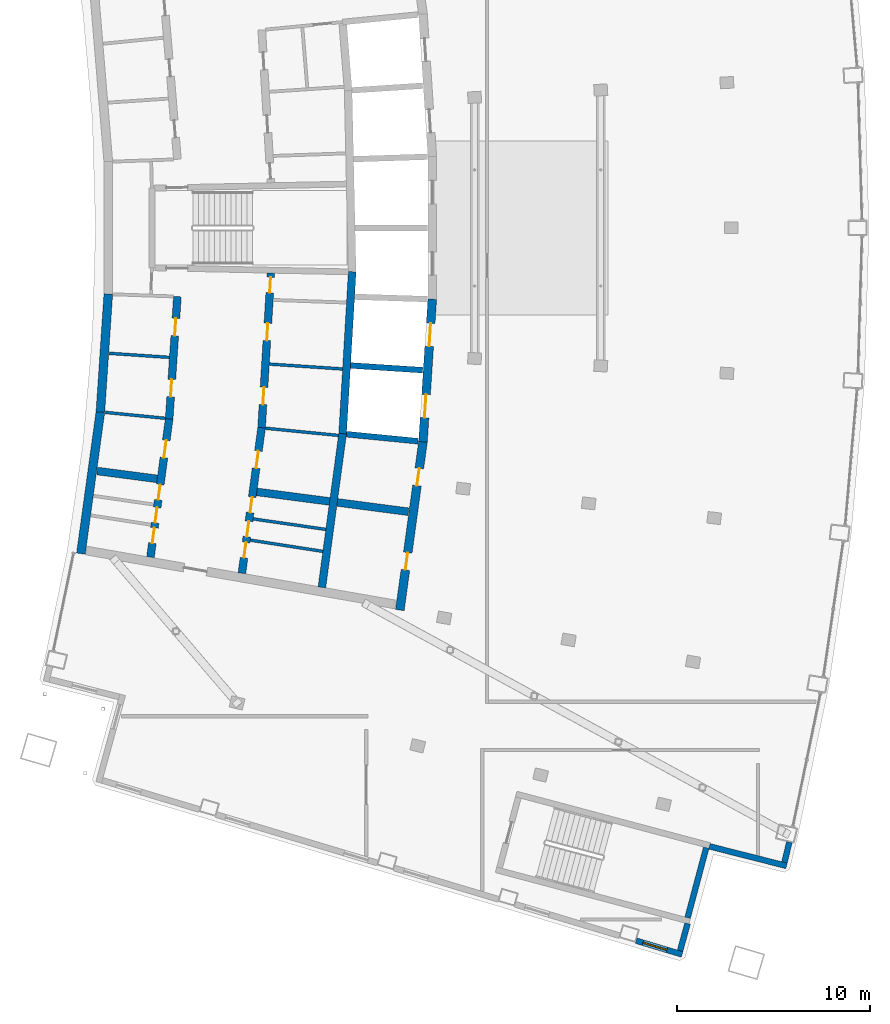
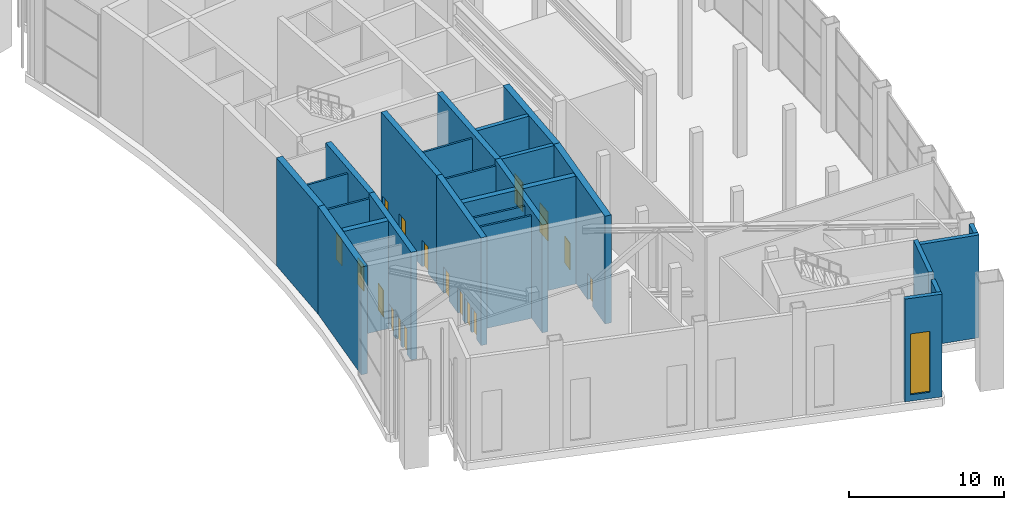
# One storey, part 18 of 25: 26 walls, 17 doors, 1 window, 18 openings.
"""IFC4 building model written with IfcOpenShell, lengths in metres."""

from ifc_helpers import new_model, si_unit, direction, frame, frame_2d, origin, place, context, subcontext, project, spatial, rectangle, extrude, material, layer, layer_set, type_object, element, fill, save


model = new_model("IFC4")

# Units and contexts
model_context = context("Model", 3, precision=1e-05, world=origin(), true_north=direction((0.0, 1.0)))
body_context = subcontext(model_context, "Body", "Model", "MODEL_VIEW")
ifc_project = project(units=[si_unit("LENGTHUNIT", "METRE"), si_unit("AREAUNIT", "SQUARE_METRE"), si_unit("VOLUMEUNIT", "CUBIC_METRE"), si_unit("PLANEANGLEUNIT", "RADIAN"), si_unit("MASSUNIT", "GRAM", prefix="KILO")], contexts=[model_context])

# Site, building, storey
site_placement = place(None, origin())
site = spatial("IfcSite", under=ifc_project, at=site_placement, CompositionType="ELEMENT")
building_placement = place(site_placement, origin())
building = spatial("IfcBuilding", under=site, at=building_placement, Name="Alderwake Tower", CompositionType="ELEMENT")
storey_placement = place(building_placement, frame((0.0, 0.0, 296.0)))
storey = spatial("IfcBuildingStorey", under=building, at=storey_placement, Name="L73", CompositionType="ELEMENT", Elevation=296.0)

# Walls
ifc_material_1 = material(Name="Gypsum shaft wall system, rated")
ifc_layer_1 = layer(ifc_material_1, 0.14990234375)
ifc_layer_set_1 = layer_set([ifc_layer_1], Name="Core room partition 150")
wall_type_1 = type_object("IfcWallType", Name="Core room partition 150", PredefinedType="PARTITIONING", material=ifc_layer_set_1)
wall_1_placement = place(storey_placement, frame((24.006103515625, 44.859375, 0.0), z_axis=(0.0, 0.0, 1.0), x_axis=(0.98816936707, -0.153366560842, 0.0)))
element("IfcWall", 1, at=wall_1_placement, inside=storey, type_object=wall_type_1, Name="CW/L73/PR-161_+86", PredefinedType="PARTITIONING", context=body_context, shape_type="SweptSolid", body=[
    extrude(rectangle(XDim=3.796630859375, YDim=0.14990234375, at=frame_2d((1.8984375, 0.0))), origin(), (0.0, 0.0, 1.0), 8.10009765625),
])
wall_2_placement = place(storey_placement, frame((24.15478515625, 45.956298828125, 0.0), z_axis=(0.0, 0.0, 1.0), x_axis=(0.989733513529, -0.142925057975, 0.0)))
element("IfcWall", 2, at=wall_2_placement, inside=storey, type_object=wall_type_1, Name="CW/L73/PR-150_+86", PredefinedType="PARTITIONING", context=body_context, shape_type="SweptSolid", body=[
    extrude(rectangle(XDim=3.795654296875, YDim=0.14990234375, at=frame_2d((1.89794921875, 0.0))), origin(), (0.0, 0.0, 1.0), 8.10009765625),
])
wall_3_placement = place(storey_placement, frame((16.510009765625, 51.463134765625, 0.0), z_axis=(0.0, 0.0, 1.0), x_axis=(0.995158089271, -0.098287218693, 0.0)))
element("IfcWall", 3, at=wall_3_placement, inside=storey, type_object=wall_type_1, Name="CW/L73/PR-103_+0", PredefinedType="PARTITIONING", context=body_context, shape_type="SweptSolid", body=[
    extrude(rectangle(XDim=3.119873046875, YDim=0.14990234375, at=frame_2d((1.56005859375, 0.0))), origin(), (0.0, 0.0, 1.0), 8.10009765625),
])
wall_4_placement = place(storey_placement, frame((24.789794921875, 50.64501953125, 0.0), z_axis=(0.0, 0.0, 1.0), x_axis=(0.995153039802, -0.098338331148, 0.0)))
element("IfcWall", 4, at=wall_4_placement, inside=storey, type_object=wall_type_1, Name="CW/L73/PR-103_+86", PredefinedType="PARTITIONING", context=body_context, shape_type="SweptSolid", body=[
    extrude(rectangle(XDim=3.7958984375, YDim=0.14990234375, at=frame_2d((1.89794921875, 0.0))), origin(), (0.0, 0.0, 1.0), 8.10009765625),
])
wall_5_placement = place(storey_placement, frame((16.714599609375, 54.51611328125, 0.0), z_axis=(0.0, 0.0, 1.0), x_axis=(0.997762234673, -0.066861970214, 0.0)))
element("IfcWall", 5, at=wall_5_placement, inside=storey, type_object=wall_type_1, Name="CW/L73/PR-70_+0", PredefinedType="PARTITIONING", context=body_context, shape_type="SweptSolid", body=[
    extrude(rectangle(XDim=3.118408203125, YDim=0.14990234375, at=frame_2d((1.55908203125, 0.0))), origin(), (0.0, 0.0, 1.0), 8.10009765625),
])
wall_6_placement = place(storey_placement, frame((24.990234375, 53.96142578125, 0.0), z_axis=(0.0, 0.0, 1.0), x_axis=(0.997761767472, -0.066868941756, 0.0)))
element("IfcWall", 6, at=wall_6_placement, inside=storey, type_object=wall_type_1, Name="CW/L73/PR-70_+86", PredefinedType="PARTITIONING", context=body_context, shape_type="SweptSolid", body=[
    extrude(rectangle(XDim=3.797119140625, YDim=0.14990234375, at=frame_2d((1.8984375, 0.0))), origin(), (0.0, 0.0, 1.0), 8.10009765625),
])
ifc_material_2 = material(Name="Concrete C70/85", Category="concrete")
ifc_layer_2 = layer(ifc_material_2, 0.449951171875)
ifc_layer_set_2 = layer_set([ifc_layer_2], Name="Core wall outer 450 C70-85")
wall_type_2 = type_object("IfcWallType", Name="Core wall outer 450 C70-85", PredefinedType="SHEAR", material=ifc_layer_set_2)
wall_7_placement = place(storey_placement, frame((15.247802734375, 44.159423828125, 0.0), z_axis=(0.0, 0.0, 1.0), x_axis=(0.136306095634, 0.990666769551, 0.0)))
element("IfcWall", 7, at=wall_7_placement, inside=storey, type_object=wall_type_2, Name="Core wall CW.028", PredefinedType="SHEAR", context=body_context, shape_type="SweptSolid", body=[
    extrude(rectangle(XDim=7.40625, YDim=0.449951171875, at=frame_2d((3.703125, 0.0))), origin(), (0.0, 0.0, 1.0), 8.5),
])
wall_8_placement = place(storey_placement, frame((16.255615234375, 51.47998046875, 0.0), z_axis=(0.0, 0.0, 1.0), x_axis=(0.066897619552, 0.997759845102, 0.0)))
element("IfcWall", 8, at=wall_8_placement, inside=storey, type_object=wall_type_2, Name="Core wall CW.027", PredefinedType="SHEAR", context=body_context, shape_type="SweptSolid", body=[
    extrude(rectangle(XDim=6.1201171875, YDim=0.449951171875, at=frame_2d((3.06005859375, 0.0))), origin(), (0.0, 0.0, 1.0), 8.5),
])

# Wall, openings, doors
wall_9_placement = place(storey_placement, frame((32.936767578125, 49.95751953125, 0.0), z_axis=(0.0, 0.0, 1.0), x_axis=(-0.135866240661, -0.99072718982, 0.0)))
wall_9 = element("IfcWall", 9, at=wall_9_placement, inside=storey, type_object=wall_type_2, Name="Core wall CW.022", PredefinedType="SHEAR", context=body_context, shape_type="SweptSolid", body=[
    extrude(rectangle(XDim=8.7958984375, YDim=0.449951171875, at=frame_2d((4.39794921875, 0.0))), origin(), (0.0, 0.0, 1.0), 8.5),
])
opening_1_placement = place(wall_9_placement, frame((1.40234375, 0.0, 0.0)))
opening_1 = element("IfcOpeningElement", 10, at=opening_1_placement, cuts=wall_9, Name="Opening C050", PredefinedType="OPENING", context=body_context, shape_type="SweptSolid", body=[
    extrude(rectangle(XDim=0.89990234375, YDim=2.10009765625, at=frame_2d((0.449951171875, 1.050048828125))), frame((0.0, 0.23486328125, 0.0), z_axis=(0.0, -1.0, 0.0), x_axis=(1.0, 0.0, 0.0)), (0.0, 0.0, 1.0), 0.469970703125),
])
opening_2_placement = place(wall_9_placement, frame((5.796875, 0.0, 0.0)))
opening_2 = element("IfcOpeningElement", 11, at=opening_2_placement, cuts=wall_9, Name="Opening C061", PredefinedType="OPENING", context=body_context, shape_type="SweptSolid", body=[
    extrude(rectangle(XDim=0.89990234375, YDim=2.10009765625, at=frame_2d((0.449951171875, 1.050048828125))), frame((0.0, 0.23486328125, 0.0), z_axis=(0.0, -1.0, 0.0), x_axis=(1.0, 0.0, 0.0)), (0.0, 0.0, 1.0), 0.469970703125),
])
ifc_material_3 = material(Name="Painted steel leaf", Category="steel")
door_type_1 = type_object("IfcDoorType", Name="Core room door 900", OperationType="SINGLE_SWING_LEFT", PredefinedType="DOOR", material=ifc_material_3)
door_1_placement = place(opening_1_placement, origin())
door_1 = element("IfcDoor", 12, at=door_1_placement, inside=storey, type_object=door_type_1, Name="Room door", OperationType="SINGLE_SWING_RIGHT", OverallHeight=2.10009765625, OverallWidth=0.89990234375, PredefinedType="DOOR", context=body_context, shape_type="SweptSolid", body=[
    extrude(rectangle(XDim=0.89990234375, YDim=2.10009765625, at=frame_2d((0.449951171875, 1.050048828125))), frame((0.0, 0.02490234375, 0.0), z_axis=(0.0, -1.0, 0.0), x_axis=(1.0, 0.0, 0.0)), (0.0, 0.0, 1.0), 0.050048828125),
])
fill(opening_1, door_1)
door_2_placement = place(opening_2_placement, origin())
door_2 = element("IfcDoor", 13, at=door_2_placement, inside=storey, type_object=door_type_1, Name="Room door", OperationType="SINGLE_SWING_LEFT", OverallHeight=2.10009765625, OverallWidth=0.89990234375, PredefinedType="DOOR", context=body_context, shape_type="SweptSolid", body=[
    extrude(rectangle(XDim=0.89990234375, YDim=2.10009765625, at=frame_2d((0.449951171875, 1.050048828125))), frame((0.0, 0.02490234375, 0.0), z_axis=(0.0, -1.0, 0.0), x_axis=(1.0, 0.0, 0.0)), (0.0, 0.0, 1.0), 0.050048828125),
])
fill(opening_2, door_2)

wall_10_placement = place(storey_placement, frame((32.93505859375, 49.940673828125, 0.0), z_axis=(0.0, 0.0, 1.0), x_axis=(0.064980500916, 0.997886533881, 0.0)))
wall_10 = element("IfcWall", 14, at=wall_10_placement, inside=storey, type_object=wall_type_2, Name="Core wall CW.021", PredefinedType="SHEAR", context=body_context, shape_type="SweptSolid", body=[
    extrude(rectangle(XDim=7.39404296875, YDim=0.449951171875, at=frame_2d((3.697021484375, 0.0))), origin(), (0.0, 0.0, 1.0), 8.5),
])
opening_3_placement = place(wall_10_placement, frame((1.252685546875, 0.0, 0.0)))
opening_3 = element("IfcOpeningElement", 15, at=opening_3_placement, cuts=wall_10, Name="Opening LD-HP1", PredefinedType="OPENING", context=body_context, shape_type="SweptSolid", body=[
    extrude(rectangle(XDim=1.199951171875, YDim=2.300048828125, at=frame_2d((0.60009765625, 1.14990234375))), frame((0.0, 0.23486328125, 0.0), z_axis=(0.0, -1.0, 0.0), x_axis=(1.0, 0.0, 0.0)), (0.0, 0.0, 1.0), 0.469970703125),
])
opening_4_placement = place(wall_10_placement, frame((4.94189453125, 0.0, 0.0)))
opening_4 = element("IfcOpeningElement", 16, at=opening_4_placement, cuts=wall_10, Name="Opening LD-HP2", PredefinedType="OPENING", context=body_context, shape_type="SweptSolid", body=[
    extrude(rectangle(XDim=1.199951171875, YDim=2.300048828125, at=frame_2d((0.60009765625, 1.14990234375))), frame((0.0, 0.23486328125, 0.0), z_axis=(0.0, -1.0, 0.0), x_axis=(1.0, 0.0, 0.0)), (0.0, 0.0, 1.0), 0.469970703125),
])
ifc_material_4 = material(Name="Stainless steel sliding leaf", Category="steel")
door_type_2 = type_object("IfcDoorType", Name="Lift landing door 1200", OperationType="SLIDING_TO_LEFT", PredefinedType="DOOR", material=ifc_material_4)
door_3_placement = place(opening_3_placement, origin())
door_3 = element("IfcDoor", 17, at=door_3_placement, inside=storey, type_object=door_type_2, Name="Lift landing door HP1", OperationType="SLIDING_TO_LEFT", OverallHeight=2.300048828125, OverallWidth=1.199951171875, PredefinedType="DOOR", context=body_context, shape_type="SweptSolid", body=[
    extrude(rectangle(XDim=1.199951171875, YDim=2.300048828125, at=frame_2d((0.60009765625, 1.14990234375))), frame((0.0, 0.02490234375, 0.0), z_axis=(0.0, -1.0, 0.0), x_axis=(1.0, 0.0, 0.0)), (0.0, 0.0, 1.0), 0.050048828125),
])
fill(opening_3, door_3)
door_4_placement = place(opening_4_placement, origin())
door_4 = element("IfcDoor", 18, at=door_4_placement, inside=storey, type_object=door_type_2, Name="Lift landing door HP2", OperationType="SLIDING_TO_LEFT", OverallHeight=2.300048828125, OverallWidth=1.199951171875, PredefinedType="DOOR", context=body_context, shape_type="SweptSolid", body=[
    extrude(rectangle(XDim=1.199951171875, YDim=2.300048828125, at=frame_2d((0.60009765625, 1.14990234375))), frame((0.0, 0.02490234375, 0.0), z_axis=(0.0, -1.0, 0.0), x_axis=(1.0, 0.0, 0.0)), (0.0, 0.0, 1.0), 0.050048828125),
])
fill(opening_4, door_4)

# Walls
ifc_material_5 = material(Name="Concrete C70/85", Category="concrete")
ifc_layer_3 = layer(ifc_material_5, 0.300048828125)
ifc_layer_set_3 = layer_set([ifc_layer_3], Name="Core wall shaft 300 C70-85")
wall_type_3 = type_object("IfcWallType", Name="Core wall shaft 300 C70-85", PredefinedType="SHEAR", material=ifc_layer_set_3)
wall_11_placement = place(storey_placement, frame((28.9794921875, 50.336181640625, 0.0), z_axis=(0.0, 0.0, 1.0), x_axis=(0.995245505393, -0.097398069771, 0.0)))
element("IfcWall", 19, at=wall_11_placement, inside=storey, type_object=wall_type_3, Name="Core wall CW.064", PredefinedType="SHEAR", context=body_context, shape_type="SweptSolid", body=[
    extrude(rectangle(XDim=3.7197265625, YDim=0.300048828125, at=frame_2d((1.85986328125, 0.0))), origin(), (0.0, 0.0, 1.0), 8.5),
])
wall_12_placement = place(storey_placement, frame((29.190185546875, 53.8896484375, 0.0), z_axis=(0.0, 0.0, 1.0), x_axis=(0.997886830624, -0.064975943752, 0.0)))
element("IfcWall", 20, at=wall_12_placement, inside=storey, type_object=wall_type_3, Name="Core wall CW.078", PredefinedType="SHEAR", context=body_context, shape_type="SweptSolid", body=[
    extrude(rectangle(XDim=3.738525390625, YDim=0.300048828125, at=frame_2d((1.869140625, 0.0))), origin(), (0.0, 0.0, 1.0), 8.5),
])

# Wall, openings, doors
ifc_material_6 = material(Name="Concrete C70/85", Category="concrete")
ifc_layer_4 = layer(ifc_material_6, 0.39990234375)
ifc_layer_set_4 = layer_set([ifc_layer_4], Name="Core wall spine 400 C70-85")
wall_type_4 = type_object("IfcWallType", Name="Core wall spine 400 C70-85", PredefinedType="SHEAR", material=ifc_layer_set_4)
wall_13_placement = place(storey_placement, frame((19.814697265625, 51.143798828125, 0.0), z_axis=(0.0, 0.0, 1.0), x_axis=(-0.13407924926, -0.99097061254, 0.0)))
wall_13 = element("IfcWall", 21, at=wall_13_placement, inside=storey, type_object=wall_type_4, Name="Core wall CW.033", PredefinedType="SHEAR", context=body_context, shape_type="SweptSolid", body=[
    extrude(rectangle(XDim=7.228759765625, YDim=0.39990234375, at=frame_2d((3.6142578125, 0.0))), origin(), (0.0, 0.0, 1.0), 8.5),
])
opening_5_placement = place(wall_13_placement, frame((5.697021484375, 0.0, 0.0)))
opening_5 = element("IfcOpeningElement", 22, at=opening_5_placement, cuts=wall_13, Name="Opening C009", PredefinedType="OPENING", context=body_context, shape_type="SweptSolid", body=[
    extrude(rectangle(XDim=0.800048828125, YDim=2.0, at=frame_2d((0.39990234375, 1.0))), frame((0.0, 0.2099609375, 0.0), z_axis=(0.0, -1.0, 0.0), x_axis=(1.0, 0.0, 0.0)), (0.0, 0.0, 1.0), 0.419921875),
])
opening_6_placement = place(wall_13_placement, frame((4.64208984375, 0.0, 0.0)))
opening_6 = element("IfcOpeningElement", 23, at=opening_6_placement, cuts=wall_13, Name="Opening C011", PredefinedType="OPENING", context=body_context, shape_type="SweptSolid", body=[
    extrude(rectangle(XDim=0.800048828125, YDim=2.0, at=frame_2d((0.39990234375, 1.0))), frame((0.0, 0.2099609375, 0.0), z_axis=(0.0, -1.0, 0.0), x_axis=(1.0, 0.0, 0.0)), (0.0, 0.0, 1.0), 0.419921875),
])
opening_7_placement = place(wall_13_placement, frame((3.443115234375, 0.0, 0.0)))
opening_7 = element("IfcOpeningElement", 24, at=opening_7_placement, cuts=wall_13, Name="Opening C012", PredefinedType="OPENING", context=body_context, shape_type="SweptSolid", body=[
    extrude(rectangle(XDim=0.800048828125, YDim=2.0, at=frame_2d((0.39990234375, 1.0))), frame((0.0, 0.2099609375, 0.0), z_axis=(0.0, -1.0, 0.0), x_axis=(1.0, 0.0, 0.0)), (0.0, 0.0, 1.0), 0.419921875),
])
opening_8_placement = place(wall_13_placement, frame((1.13916015625, 0.0, 0.0)))
opening_8 = element("IfcOpeningElement", 25, at=opening_8_placement, cuts=wall_13, Name="Opening C039", PredefinedType="OPENING", context=body_context, shape_type="SweptSolid", body=[
    extrude(rectangle(XDim=0.89990234375, YDim=2.10009765625, at=frame_2d((0.449951171875, 1.050048828125))), frame((0.0, 0.2099609375, 0.0), z_axis=(0.0, -1.0, 0.0), x_axis=(1.0, 0.0, 0.0)), (0.0, 0.0, 1.0), 0.419921875),
])
door_5_placement = place(opening_8_placement, origin())
door_5 = element("IfcDoor", 26, at=door_5_placement, inside=storey, type_object=door_type_1, Name="Room door", OperationType="SINGLE_SWING_RIGHT", OverallHeight=2.10009765625, OverallWidth=0.89990234375, PredefinedType="DOOR", context=body_context, shape_type="SweptSolid", body=[
    extrude(rectangle(XDim=0.89990234375, YDim=2.10009765625, at=frame_2d((0.449951171875, 1.050048828125))), frame((0.0, 0.02490234375, 0.0), z_axis=(0.0, -1.0, 0.0), x_axis=(1.0, 0.0, 0.0)), (0.0, 0.0, 1.0), 0.050048828125),
])
fill(opening_8, door_5)
ifc_material_7 = material(Name="Painted steel leaf, rated", Category="steel")
door_type_3 = type_object("IfcDoorType", Name="Riser access door 800", OperationType="SINGLE_SWING_LEFT", PredefinedType="DOOR", material=ifc_material_7)
door_6_placement = place(opening_5_placement, origin())
door_6 = element("IfcDoor", 27, at=door_6_placement, inside=storey, type_object=door_type_3, Name="Riser access door", OperationType="SINGLE_SWING_LEFT", OverallHeight=2.0, OverallWidth=0.800048828125, PredefinedType="DOOR", context=body_context, shape_type="SweptSolid", body=[
    extrude(rectangle(XDim=0.800048828125, YDim=2.0, at=frame_2d((0.39990234375, 1.0))), frame((0.0, 0.02490234375, 0.0), z_axis=(0.0, -1.0, 0.0), x_axis=(1.0, 0.0, 0.0)), (0.0, 0.0, 1.0), 0.050048828125),
])
fill(opening_5, door_6)
door_7_placement = place(opening_6_placement, origin())
door_7 = element("IfcDoor", 28, at=door_7_placement, inside=storey, type_object=door_type_3, Name="Riser access door", OperationType="SINGLE_SWING_RIGHT", OverallHeight=2.0, OverallWidth=0.800048828125, PredefinedType="DOOR", context=body_context, shape_type="SweptSolid", body=[
    extrude(rectangle(XDim=0.800048828125, YDim=2.0, at=frame_2d((0.39990234375, 1.0))), frame((0.0, 0.02490234375, 0.0), z_axis=(0.0, -1.0, 0.0), x_axis=(1.0, 0.0, 0.0)), (0.0, 0.0, 1.0), 0.050048828125),
])
fill(opening_6, door_7)
door_8_placement = place(opening_7_placement, origin())
door_8 = element("IfcDoor", 29, at=door_8_placement, inside=storey, type_object=door_type_3, Name="Riser access door", OperationType="SINGLE_SWING_LEFT", OverallHeight=2.0, OverallWidth=0.800048828125, PredefinedType="DOOR", context=body_context, shape_type="SweptSolid", body=[
    extrude(rectangle(XDim=0.800048828125, YDim=2.0, at=frame_2d((0.39990234375, 1.0))), frame((0.0, 0.02490234375, 0.0), z_axis=(0.0, -1.0, 0.0), x_axis=(1.0, 0.0, 0.0)), (0.0, 0.0, 1.0), 0.050048828125),
])
fill(opening_7, door_8)

wall_14_placement = place(storey_placement, frame((20.2373046875, 57.451904296875, 0.0), z_axis=(0.0, 0.0, 1.0), x_axis=(-0.066884681503, -0.997760712486, 0.0)))
wall_14 = element("IfcWall", 30, at=wall_14_placement, inside=storey, type_object=wall_type_4, Name="Core wall CW.032", PredefinedType="SHEAR", context=body_context, shape_type="SweptSolid", body=[
    extrude(rectangle(XDim=6.336669921875, YDim=0.39990234375, at=frame_2d((3.16845703125, 0.0))), origin(), (0.0, 0.0, 1.0), 8.5),
])
opening_9_placement = place(wall_14_placement, frame((4.297119140625, 0.0, 0.0)))
opening_9 = element("IfcOpeningElement", 31, at=opening_9_placement, cuts=wall_14, Name="Opening C041", PredefinedType="OPENING", context=body_context, shape_type="SweptSolid", body=[
    extrude(rectangle(XDim=0.89990234375, YDim=2.10009765625, at=frame_2d((0.449951171875, 1.050048828125))), frame((0.0, 0.2099609375, 0.0), z_axis=(0.0, -1.0, 0.0), x_axis=(1.0, 0.0, 0.0)), (0.0, 0.0, 1.0), 0.419921875),
])
opening_10_placement = place(wall_14_placement, frame((1.132080078125, 0.0, 0.0)))
opening_10 = element("IfcOpeningElement", 32, at=opening_10_placement, cuts=wall_14, Name="Opening C042", PredefinedType="OPENING", context=body_context, shape_type="SweptSolid", body=[
    extrude(rectangle(XDim=0.89990234375, YDim=2.10009765625, at=frame_2d((0.449951171875, 1.050048828125))), frame((0.0, 0.2099609375, 0.0), z_axis=(0.0, -1.0, 0.0), x_axis=(1.0, 0.0, 0.0)), (0.0, 0.0, 1.0), 0.419921875),
])
door_9_placement = place(opening_9_placement, origin())
door_9 = element("IfcDoor", 33, at=door_9_placement, inside=storey, type_object=door_type_1, Name="Room door", OperationType="SINGLE_SWING_LEFT", OverallHeight=2.10009765625, OverallWidth=0.89990234375, PredefinedType="DOOR", context=body_context, shape_type="SweptSolid", body=[
    extrude(rectangle(XDim=0.89990234375, YDim=2.10009765625, at=frame_2d((0.449951171875, 1.050048828125))), frame((0.0, 0.02490234375, 0.0), z_axis=(0.0, -1.0, 0.0), x_axis=(1.0, 0.0, 0.0)), (0.0, 0.0, 1.0), 0.050048828125),
])
fill(opening_9, door_9)
door_10_placement = place(opening_10_placement, origin())
door_10 = element("IfcDoor", 34, at=door_10_placement, inside=storey, type_object=door_type_1, Name="Room door", OperationType="SINGLE_SWING_RIGHT", OverallHeight=2.10009765625, OverallWidth=0.89990234375, PredefinedType="DOOR", context=body_context, shape_type="SweptSolid", body=[
    extrude(rectangle(XDim=0.89990234375, YDim=2.10009765625, at=frame_2d((0.449951171875, 1.050048828125))), frame((0.0, 0.02490234375, 0.0), z_axis=(0.0, -1.0, 0.0), x_axis=(1.0, 0.0, 0.0)), (0.0, 0.0, 1.0), 0.050048828125),
])
fill(opening_10, door_10)

wall_15_placement = place(storey_placement, frame((23.572265625, 43.14453125, 0.0), z_axis=(0.0, 0.0, 1.0), x_axis=(0.134205350878, 0.990953542703, 0.0)))
wall_15 = element("IfcWall", 35, at=wall_15_placement, inside=storey, type_object=wall_type_4, Name="Core wall CW.047", PredefinedType="SHEAR", context=body_context, shape_type="SweptSolid", body=[
    extrude(rectangle(XDim=7.5966796875, YDim=0.39990234375, at=frame_2d((3.79833984375, 0.0))), origin(), (0.0, 0.0, 1.0), 8.5),
])
opening_11_placement = place(wall_15_placement, frame((0.807861328125, 0.0, 0.0)))
opening_11 = element("IfcOpeningElement", 36, at=opening_11_placement, cuts=wall_15, Name="Opening C016", PredefinedType="OPENING", context=body_context, shape_type="SweptSolid", body=[
    extrude(rectangle(XDim=0.800048828125, YDim=2.0, at=frame_2d((0.39990234375, 1.0))), frame((0.0, 0.2099609375, 0.0), z_axis=(0.0, -1.0, 0.0), x_axis=(1.0, 0.0, 0.0)), (0.0, 0.0, 1.0), 0.419921875),
])
opening_12_placement = place(wall_15_placement, frame((1.9130859375, 0.0, 0.0)))
opening_12 = element("IfcOpeningElement", 37, at=opening_12_placement, cuts=wall_15, Name="Opening C018", PredefinedType="OPENING", context=body_context, shape_type="SweptSolid", body=[
    extrude(rectangle(XDim=0.800048828125, YDim=2.0, at=frame_2d((0.39990234375, 1.0))), frame((0.0, 0.2099609375, 0.0), z_axis=(0.0, -1.0, 0.0), x_axis=(1.0, 0.0, 0.0)), (0.0, 0.0, 1.0), 0.419921875),
])
opening_13_placement = place(wall_15_placement, frame((3.16943359375, 0.0, 0.0)))
opening_13 = element("IfcOpeningElement", 38, at=opening_13_placement, cuts=wall_15, Name="Opening C019", PredefinedType="OPENING", context=body_context, shape_type="SweptSolid", body=[
    extrude(rectangle(XDim=0.800048828125, YDim=2.0, at=frame_2d((0.39990234375, 1.0))), frame((0.0, 0.2099609375, 0.0), z_axis=(0.0, -1.0, 0.0), x_axis=(1.0, 0.0, 0.0)), (0.0, 0.0, 1.0), 0.419921875),
])
opening_14_placement = place(wall_15_placement, frame((5.481201171875, 0.0, 0.0)))
opening_14 = element("IfcOpeningElement", 39, at=opening_14_placement, cuts=wall_15, Name="Opening C045", PredefinedType="OPENING", context=body_context, shape_type="SweptSolid", body=[
    extrude(rectangle(XDim=0.89990234375, YDim=2.10009765625, at=frame_2d((0.449951171875, 1.050048828125))), frame((0.0, 0.2099609375, 0.0), z_axis=(0.0, -1.0, 0.0), x_axis=(1.0, 0.0, 0.0)), (0.0, 0.0, 1.0), 0.419921875),
])
door_11_placement = place(opening_14_placement, origin())
door_11 = element("IfcDoor", 40, at=door_11_placement, inside=storey, type_object=door_type_1, Name="Room door", OperationType="SINGLE_SWING_LEFT", OverallHeight=2.10009765625, OverallWidth=0.89990234375, PredefinedType="DOOR", context=body_context, shape_type="SweptSolid", body=[
    extrude(rectangle(XDim=0.89990234375, YDim=2.10009765625, at=frame_2d((0.449951171875, 1.050048828125))), frame((0.0, 0.02490234375, 0.0), z_axis=(0.0, -1.0, 0.0), x_axis=(1.0, 0.0, 0.0)), (0.0, 0.0, 1.0), 0.050048828125),
])
fill(opening_14, door_11)
door_12_placement = place(opening_11_placement, origin())
door_12 = element("IfcDoor", 41, at=door_12_placement, inside=storey, type_object=door_type_3, Name="Riser access door", OperationType="SINGLE_SWING_RIGHT", OverallHeight=2.0, OverallWidth=0.800048828125, PredefinedType="DOOR", context=body_context, shape_type="SweptSolid", body=[
    extrude(rectangle(XDim=0.800048828125, YDim=2.0, at=frame_2d((0.39990234375, 1.0))), frame((0.0, 0.02490234375, 0.0), z_axis=(0.0, -1.0, 0.0), x_axis=(1.0, 0.0, 0.0)), (0.0, 0.0, 1.0), 0.050048828125),
])
fill(opening_11, door_12)
door_13_placement = place(opening_12_placement, origin())
door_13 = element("IfcDoor", 42, at=door_13_placement, inside=storey, type_object=door_type_3, Name="Riser access door", OperationType="SINGLE_SWING_LEFT", OverallHeight=2.0, OverallWidth=0.800048828125, PredefinedType="DOOR", context=body_context, shape_type="SweptSolid", body=[
    extrude(rectangle(XDim=0.800048828125, YDim=2.0, at=frame_2d((0.39990234375, 1.0))), frame((0.0, 0.02490234375, 0.0), z_axis=(0.0, -1.0, 0.0), x_axis=(1.0, 0.0, 0.0)), (0.0, 0.0, 1.0), 0.050048828125),
])
fill(opening_12, door_13)
door_14_placement = place(opening_13_placement, origin())
door_14 = element("IfcDoor", 43, at=door_14_placement, inside=storey, type_object=door_type_3, Name="Riser access door", OperationType="SINGLE_SWING_RIGHT", OverallHeight=2.0, OverallWidth=0.800048828125, PredefinedType="DOOR", context=body_context, shape_type="SweptSolid", body=[
    extrude(rectangle(XDim=0.800048828125, YDim=2.0, at=frame_2d((0.39990234375, 1.0))), frame((0.0, 0.02490234375, 0.0), z_axis=(0.0, -1.0, 0.0), x_axis=(1.0, 0.0, 0.0)), (0.0, 0.0, 1.0), 0.050048828125),
])
fill(opening_13, door_14)

wall_16_placement = place(storey_placement, frame((24.590087890625, 50.65673828125, 0.0), z_axis=(0.0, 0.0, 1.0), x_axis=(0.060318641452, 0.998179173041, 0.0)))
wall_16 = element("IfcWall", 44, at=wall_16_placement, inside=storey, type_object=wall_type_4, Name="Core wall CW.046", PredefinedType="SHEAR", context=body_context, shape_type="SweptSolid", body=[
    extrude(rectangle(XDim=8.022216796875, YDim=0.39990234375, at=frame_2d((4.01123046875, 0.0))), origin(), (0.0, 0.0, 1.0), 8.5),
])
opening_15_placement = place(wall_16_placement, frame((7.006103515625, 0.0, 0.0)))
opening_15 = element("IfcOpeningElement", 45, at=opening_15_placement, cuts=wall_16, Name="Opening C006", PredefinedType="OPENING", context=body_context, shape_type="SweptSolid", body=[
    extrude(rectangle(XDim=0.800048828125, YDim=2.0, at=frame_2d((0.39990234375, 1.0))), frame((0.0, 0.2099609375, 0.0), z_axis=(0.0, -1.0, 0.0), x_axis=(1.0, 0.0, 0.0)), (0.0, 0.0, 1.0), 0.419921875),
])
opening_16_placement = place(wall_16_placement, frame((1.21533203125, 0.0, 0.0)))
opening_16 = element("IfcOpeningElement", 46, at=opening_16_placement, cuts=wall_16, Name="Opening C047", PredefinedType="OPENING", context=body_context, shape_type="SweptSolid", body=[
    extrude(rectangle(XDim=0.89990234375, YDim=2.10009765625, at=frame_2d((0.449951171875, 1.050048828125))), frame((0.0, 0.2099609375, 0.0), z_axis=(0.0, -1.0, 0.0), x_axis=(1.0, 0.0, 0.0)), (0.0, 0.0, 1.0), 0.419921875),
])
opening_17_placement = place(wall_16_placement, frame((4.531982421875, 0.0, 0.0)))
opening_17 = element("IfcOpeningElement", 47, at=opening_17_placement, cuts=wall_16, Name="Opening C048", PredefinedType="OPENING", context=body_context, shape_type="SweptSolid", body=[
    extrude(rectangle(XDim=0.89990234375, YDim=2.10009765625, at=frame_2d((0.449951171875, 1.050048828125))), frame((0.0, 0.2099609375, 0.0), z_axis=(0.0, -1.0, 0.0), x_axis=(1.0, 0.0, 0.0)), (0.0, 0.0, 1.0), 0.419921875),
])
door_15_placement = place(opening_16_placement, origin())
door_15 = element("IfcDoor", 48, at=door_15_placement, inside=storey, type_object=door_type_1, Name="Room door", OperationType="SINGLE_SWING_RIGHT", OverallHeight=2.10009765625, OverallWidth=0.89990234375, PredefinedType="DOOR", context=body_context, shape_type="SweptSolid", body=[
    extrude(rectangle(XDim=0.89990234375, YDim=2.10009765625, at=frame_2d((0.449951171875, 1.050048828125))), frame((0.0, 0.02490234375, 0.0), z_axis=(0.0, -1.0, 0.0), x_axis=(1.0, 0.0, 0.0)), (0.0, 0.0, 1.0), 0.050048828125),
])
fill(opening_16, door_15)
door_16_placement = place(opening_17_placement, origin())
door_16 = element("IfcDoor", 49, at=door_16_placement, inside=storey, type_object=door_type_1, Name="Room door", OperationType="SINGLE_SWING_LEFT", OverallHeight=2.10009765625, OverallWidth=0.89990234375, PredefinedType="DOOR", context=body_context, shape_type="SweptSolid", body=[
    extrude(rectangle(XDim=0.89990234375, YDim=2.10009765625, at=frame_2d((0.449951171875, 1.050048828125))), frame((0.0, 0.02490234375, 0.0), z_axis=(0.0, -1.0, 0.0), x_axis=(1.0, 0.0, 0.0)), (0.0, 0.0, 1.0), 0.050048828125),
])
fill(opening_17, door_16)
door_17_placement = place(opening_15_placement, origin())
door_17 = element("IfcDoor", 50, at=door_17_placement, inside=storey, type_object=door_type_3, Name="Riser access door", OperationType="SINGLE_SWING_RIGHT", OverallHeight=2.0, OverallWidth=0.800048828125, PredefinedType="DOOR", context=body_context, shape_type="SweptSolid", body=[
    extrude(rectangle(XDim=0.800048828125, YDim=2.0, at=frame_2d((0.39990234375, 1.0))), frame((0.0, 0.02490234375, 0.0), z_axis=(0.0, -1.0, 0.0), x_axis=(1.0, 0.0, 0.0)), (0.0, 0.0, 1.0), 0.050048828125),
])
fill(opening_15, door_17)

# Walls
wall_17_placement = place(storey_placement, frame((27.7080078125, 42.413330078125, 0.0), z_axis=(0.0, 0.0, 1.0), x_axis=(0.133812079784, 0.991006724147, 0.0)))
element("IfcWall", 51, at=wall_17_placement, inside=storey, type_object=wall_type_4, Name="Core wall CW.006", PredefinedType="SHEAR", context=body_context, shape_type="SweptSolid", body=[
    extrude(rectangle(XDim=8.0224609375, YDim=0.39990234375, at=frame_2d((4.01123046875, 0.0))), origin(), (0.0, 0.0, 1.0), 8.5),
])
wall_18_placement = place(storey_placement, frame((28.780029296875, 50.34765625, 0.0), z_axis=(0.0, 0.0, 1.0), x_axis=(0.05912910263, 0.998250343963, 0.0)))
element("IfcWall", 52, at=wall_18_placement, inside=storey, type_object=wall_type_4, Name="Core wall CW.004", PredefinedType="SHEAR", context=body_context, shape_type="SweptSolid", body=[
    extrude(rectangle(XDim=8.40234375, YDim=0.39990234375, at=frame_2d((4.201171875, 0.0))), origin(), (0.0, 0.0, 1.0), 8.5),
])
wall_19_placement = place(storey_placement, frame((16.093017578125, 48.431640625, 0.0), z_axis=(0.0, 0.0, 1.0), x_axis=(0.991562461837, -0.12962979702, 0.0)))
element("IfcWall", 53, at=wall_19_placement, inside=storey, type_object=wall_type_4, Name="Core wall CW.067", PredefinedType="SHEAR", context=body_context, shape_type="SweptSolid", body=[
    extrude(rectangle(XDim=3.12451171875, YDim=0.39990234375, at=frame_2d((1.562255859375, 0.0))), origin(), (0.0, 0.0, 1.0), 8.5),
])
wall_20_placement = place(storey_placement, frame((24.343994140625, 47.3525390625, 0.0), z_axis=(0.0, 0.0, 1.0), x_axis=(0.991552989286, -0.12970223374, 0.0)))
element("IfcWall", 54, at=wall_20_placement, inside=storey, type_object=wall_type_4, Name="Core wall CW.069", PredefinedType="SHEAR", context=body_context, shape_type="SweptSolid", body=[
    extrude(rectangle(XDim=3.794677734375, YDim=0.39990234375, at=frame_2d((1.8974609375, 0.0))), origin(), (0.0, 0.0, 1.0), 8.5),
])
wall_21_placement = place(storey_placement, frame((28.50341796875, 46.80859375, 0.0), z_axis=(0.0, 0.0, 1.0), x_axis=(0.991550794587, -0.129719010761, 0.0)))
element("IfcWall", 55, at=wall_21_placement, inside=storey, type_object=wall_type_4, Name="Core wall CW.068", PredefinedType="SHEAR", context=body_context, shape_type="SweptSolid", body=[
    extrude(rectangle(XDim=3.70947265625, YDim=0.39990234375, at=frame_2d((1.854736328125, 0.0))), origin(), (0.0, 0.0, 1.0), 8.5),
])
ifc_material_8 = material(Name="Concrete C70/85", Category="concrete")
ifc_layer_5 = layer(ifc_material_8, 0.300048828125)
ifc_layer_set_5 = layer_set([ifc_layer_5], Name="Core wall stair enclosure 300 C70-85")
wall_type_5 = type_object("IfcWallType", Name="Core wall stair enclosure 300 C70-85", PredefinedType="SHEAR", material=ifc_layer_set_5)
wall_22_placement = place(storey_placement, frame((46.6162109375, 25.334716796875, 0.0), z_axis=(0.0, 0.0, 1.0), x_axis=(0.257366821694, 0.966313778796, 0.0)))
element("IfcWall", 56, at=wall_22_placement, inside=storey, type_object=wall_type_5, Name="Core wall CW.085", PredefinedType="SHEAR", context=body_context, shape_type="SweptSolid", body=[
    extrude(rectangle(XDim=3.749755859375, YDim=0.300048828125, at=frame_2d((1.875, 0.0))), origin(), (0.0, 0.0, 1.0), 8.5),
])

# Wall, opening, window
ifc_material_9 = material(Name="Bronze metal cladding on lightweight framing")
ifc_layer_6 = layer(ifc_material_9, 0.300048828125)
ifc_layer_set_6 = layer_set([ifc_layer_6], Name="External wall EW3 plant enclosure")
wall_type_6 = type_object("IfcWallType", Name="External wall EW3 plant enclosure", PredefinedType="SOLIDWALL", material=ifc_layer_set_6)
wall_23_placement = place(storey_placement, frame((43.9560546875, 24.150390625, 0.0), z_axis=(0.0, 0.0, 1.0), x_axis=(0.957747659823, -0.287609840068, 0.0)))
wall_23 = element("IfcWall", 57, at=wall_23_placement, inside=storey, type_object=wall_type_6, Name="External wall 8", PredefinedType="SOLIDWALL", context=body_context, shape_type="SweptSolid", body=[
    extrude(rectangle(XDim=2.4794921875, YDim=0.300048828125, at=frame_2d((1.23974609375, 0.0))), origin(), (0.0, 0.0, 1.0), 8.10009765625),
])
opening_18_placement = place(wall_23_placement, frame((0.364013671875, 0.0, 0.5)))
opening_18 = element("IfcOpeningElement", 58, at=opening_18_placement, cuts=wall_23, Name="Opening LV1", PredefinedType="OPENING", context=body_context, shape_type="SweptSolid", body=[
    extrude(rectangle(XDim=1.300048828125, YDim=4.800048828125, at=frame_2d((0.64990234375, 2.39990234375))), frame((0.0, 0.159912109375, 0.0), z_axis=(0.0, -1.0, 0.0), x_axis=(1.0, 0.0, 0.0)), (0.0, 0.0, 1.0), 0.320068359375),
])
ifc_material_10 = material(Name="Bronze anodised aluminium louvre", Category="aluminium")
window_type = type_object("IfcWindowType", Name="Louvre LV1 plant floor", PartitioningType="SINGLE_PANEL", PredefinedType="USERDEFINED", material=ifc_material_10)
window_placement = place(opening_18_placement, origin())
window = element("IfcWindow", 59, at=window_placement, inside=storey, type_object=window_type, Name="Louvre LV1 plant floor", ObjectType="LOUVRE", OverallHeight=4.800048828125, OverallWidth=1.300048828125, PartitioningType="SINGLE_PANEL", PredefinedType="USERDEFINED", context=body_context, shape_type="SweptSolid", body=[
    extrude(rectangle(XDim=1.300048828125, YDim=4.800048828125, at=frame_2d((0.64990234375, 2.39990234375))), frame((0.0, 0.030029296875, 0.0), z_axis=(0.0, -1.0, 0.0), x_axis=(1.0, 0.0, 0.0)), (0.0, 0.0, 1.0), 0.06005859375),
])
fill(opening_18, window)

# Walls
wall_24_placement = place(storey_placement, frame((46.22705078125, 23.625, 0.0), z_axis=(0.0, 0.0, 1.0), x_axis=(0.264962940646, 0.964258596065, 0.0)))
element("IfcWall", 60, at=wall_24_placement, inside=storey, type_object=wall_type_6, Name="External wall 9", PredefinedType="SOLIDWALL", context=body_context, shape_type="SweptSolid", body=[
    extrude(rectangle(XDim=1.466064453125, YDim=0.300048828125, at=frame_2d((0.73291015625, 0.0))), origin(), (0.0, 0.0, 1.0), 8.10009765625),
])
wall_25_placement = place(storey_placement, frame((47.7412109375, 29.026611328125, 0.0), z_axis=(0.0, 0.0, 1.0), x_axis=(0.969426555578, -0.245381648337, 0.0)))
element("IfcWall", 61, at=wall_25_placement, inside=storey, type_object=wall_type_6, Name="External wall 10", PredefinedType="SOLIDWALL", context=body_context, shape_type="SweptSolid", body=[
    extrude(rectangle(XDim=4.115966796875, YDim=0.300048828125, at=frame_2d((2.05810546875, 0.0))), origin(), (0.0, 0.0, 1.0), 8.10009765625),
])
wall_26_placement = place(storey_placement, frame((51.621826171875, 28.19921875, 0.0), z_axis=(0.0, 0.0, 1.0), x_axis=(0.238302541545, 0.971190969219, 0.0)))
element("IfcWall", 62, at=wall_26_placement, inside=storey, type_object=wall_type_6, Name="External wall 11", PredefinedType="SOLIDWALL", context=body_context, shape_type="SweptSolid", body=[
    extrude(rectangle(XDim=1.07275390625, YDim=0.300048828125, at=frame_2d((0.536376953125, 0.0))), origin(), (0.0, 0.0, 1.0), 8.10009765625),
])

save(model, "model.ifc")
